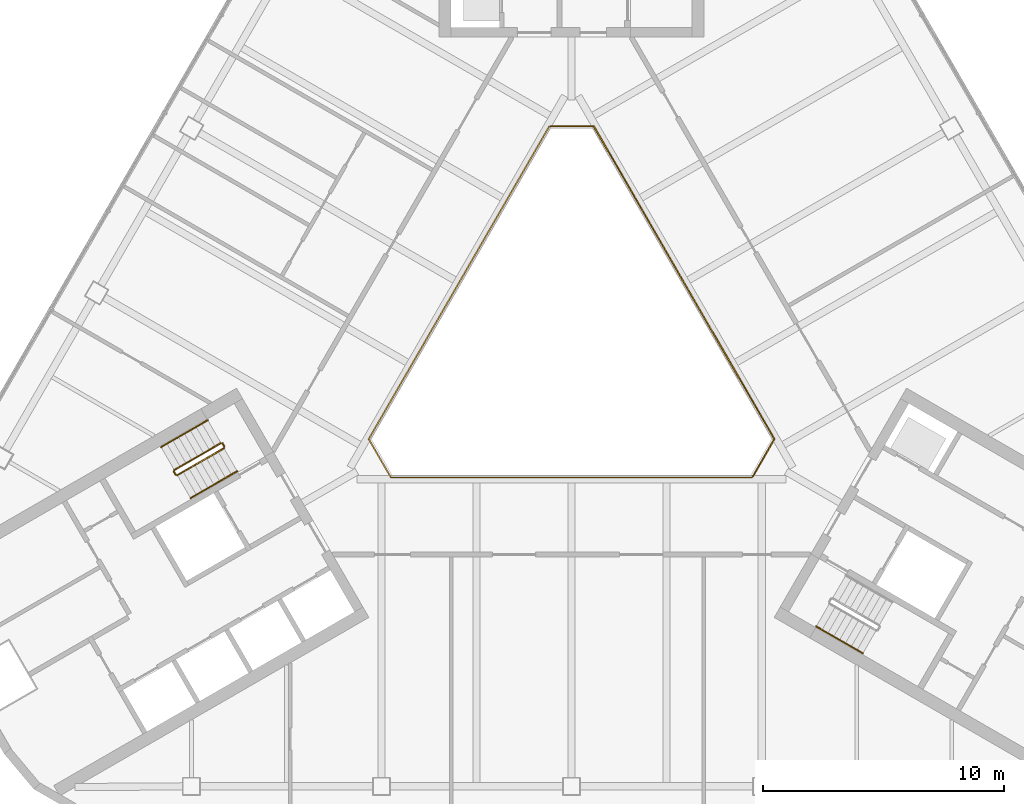
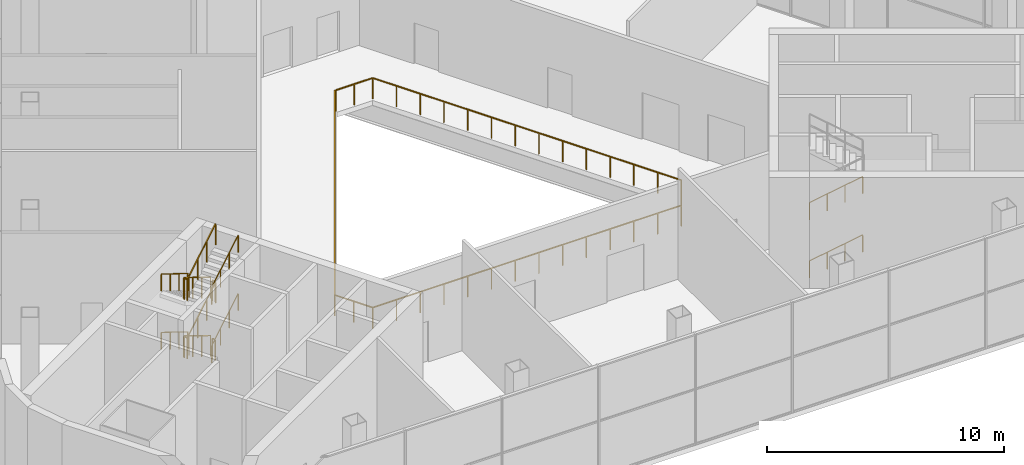
# One storey, part 12 of 14: 16 railings.
"""IFC4 building model written with IfcOpenShell, lengths in metres."""

from ifc_helpers import new_model, si_unit, direction, frame, origin, origin_2d, place, context, subcontext, project, spatial, rectangle, circle, extrude, material, type_object, element, save


model = new_model("IFC4")

# Units and contexts
model_context = context("Model", 3, precision=1e-05, world=origin(), true_north=direction((0.0, 1.0)))
body_context = subcontext(model_context, "Body", "Model", "MODEL_VIEW")
ifc_project = project(units=[si_unit("LENGTHUNIT", "METRE"), si_unit("AREAUNIT", "SQUARE_METRE"), si_unit("VOLUMEUNIT", "CUBIC_METRE"), si_unit("PLANEANGLEUNIT", "RADIAN"), si_unit("MASSUNIT", "GRAM", prefix="KILO")], contexts=[model_context])

# Site, building, storey
site_placement = place(None, origin())
site = spatial("IfcSite", under=ifc_project, at=site_placement, CompositionType="ELEMENT")
building_placement = place(site_placement, origin())
building = spatial("IfcBuilding", under=site, at=building_placement, Name="Apuvela Tower Hotel", CompositionType="ELEMENT")
storey_placement = place(building_placement, frame((0.0, 0.0, 231.699951171875)))
storey = spatial("IfcBuildingStorey", under=building, at=storey_placement, Name="L57", CompositionType="ELEMENT", Elevation=231.699951171875)

# Railings
ifc_material_1 = material(Name="Steel S275 balustrade", Category="steel")
railing_type_1 = type_object("IfcRailingType", Name="COR-GUARD-1100", PredefinedType="GUARDRAIL", material=ifc_material_1)
railing_1_placement = place(storey_placement, frame((-14.569091796875, -3.9658203125, 0.166748046875)))
element("IfcRailing", 1, at=railing_1_placement, inside=storey, type_object=railing_type_1, Name="L57 ST2 stair guard 1", PredefinedType="GUARDRAIL", context=body_context, shape_type="SweptSolid", body=[
    extrude(rectangle(XDim=0.048095703125, YDim=0.048095703125, at=origin_2d()), frame((0.0, 0.0, 1.076171875), z_axis=(-0.74416274754, -0.429638077151, 0.511500662595), x_axis=(0.49999608499, -0.866027664105, 0.0)), (0.0, 0.0, 1.0), 2.6064453125),
    extrude(rectangle(XDim=0.0419921875, YDim=0.0419921875, at=origin_2d()), origin(), (0.0, 0.0, 1.0), 1.052001953125),
    extrude(rectangle(XDim=0.0419921875, YDim=0.0419921875, at=origin_2d()), frame((-0.646484375, -0.373291015625, 0.4443359375)), (0.0, 0.0, 1.0), 1.052001953125),
    extrude(rectangle(XDim=0.0419921875, YDim=0.0419921875, at=origin_2d()), frame((-1.293212890625, -0.74658203125, 0.888916015625)), (0.0, 0.0, 1.0), 1.052001953125),
    extrude(rectangle(XDim=0.0419921875, YDim=0.0419921875, at=origin_2d()), frame((-1.939697265625, -1.119873046875, 1.333251953125)), (0.0, 0.0, 1.0), 1.052001953125),
])
railing_2_placement = place(storey_placement, frame((-16.527099609375, -5.154052734375, 1.5)))
element("IfcRailing", 2, at=railing_2_placement, inside=storey, type_object=railing_type_1, Name="L57 ST2 stair guard 2", PredefinedType="GUARDRAIL", context=body_context, shape_type="SweptSolid", body=[
    extrude(rectangle(XDim=0.048095703125, YDim=0.048095703125, at=origin_2d()), frame((0.0, 0.0, 1.076171875), z_axis=(0.499816412211, -0.866131372301, 0.0), x_axis=(0.866131372301, 0.499816412211, 0.0)), (0.0, 0.0, 1.0), 0.14990234375),
    extrude(rectangle(XDim=0.0419921875, YDim=0.0419921875, at=origin_2d()), origin(), (0.0, 0.0, 1.0), 1.052001953125),
    extrude(rectangle(XDim=0.0419921875, YDim=0.0419921875, at=origin_2d()), frame((0.074951171875, -0.1298828125, 0.0)), (0.0, 0.0, 1.0), 1.052001953125),
])
railing_3_placement = place(storey_placement, frame((-16.3837890625, -5.30224609375, 1.666748046875)))
element("IfcRailing", 3, at=railing_3_placement, inside=storey, type_object=railing_type_1, Name="L57 ST2 stair guard 3", PredefinedType="GUARDRAIL", context=body_context, shape_type="SweptSolid", body=[
    extrude(rectangle(XDim=0.048095703125, YDim=0.048095703125, at=origin_2d()), frame((0.0, 0.0, 1.076171875), z_axis=(0.74416274754, 0.429638077151, 0.511500662595), x_axis=(-0.49999608499, 0.866027664105, 0.0)), (0.0, 0.0, 1.0), 2.6064453125),
    extrude(rectangle(XDim=0.0419921875, YDim=0.0419921875, at=origin_2d()), origin(), (0.0, 0.0, 1.0), 1.052001953125),
    extrude(rectangle(XDim=0.0419921875, YDim=0.0419921875, at=origin_2d()), frame((0.646484375, 0.373291015625, 0.4443359375)), (0.0, 0.0, 1.0), 1.052001953125),
    extrude(rectangle(XDim=0.0419921875, YDim=0.0419921875, at=origin_2d()), frame((1.293212890625, 0.74658203125, 0.888916015625)), (0.0, 0.0, 1.0), 1.052001953125),
    extrude(rectangle(XDim=0.0419921875, YDim=0.0419921875, at=origin_2d()), frame((1.939697265625, 1.119873046875, 1.333251953125)), (0.0, 0.0, 1.0), 1.052001953125),
])
railing_4_placement = place(storey_placement, frame((-14.500732421875, -3.984130859375, 3.0)))
element("IfcRailing", 4, at=railing_4_placement, inside=storey, type_object=railing_type_1, Name="L57 ST2 stair guard 4", PredefinedType="GUARDRAIL", context=body_context, shape_type="SweptSolid", body=[
    extrude(rectangle(XDim=0.048095703125, YDim=0.048095703125, at=origin_2d()), frame((0.0, 0.0, 1.076171875), z_axis=(0.499816412211, -0.866131372301, 0.0), x_axis=(0.866131372301, 0.499816412211, 0.0)), (0.0, 0.0, 1.0), 0.14990234375),
    extrude(rectangle(XDim=0.0419921875, YDim=0.0419921875, at=origin_2d()), origin(), (0.0, 0.0, 1.0), 1.052001953125),
    extrude(rectangle(XDim=0.0419921875, YDim=0.0419921875, at=origin_2d()), frame((0.074951171875, -0.1298828125, 0.0)), (0.0, 0.0, 1.0), 1.052001953125),
])
railing_5_placement = place(storey_placement, frame((-14.569091796875, -3.9658203125, 3.166748046875)))
element("IfcRailing", 5, at=railing_5_placement, inside=storey, type_object=railing_type_1, Name="L57 ST2 stair guard 5", PredefinedType="GUARDRAIL", context=body_context, shape_type="SweptSolid", body=[
    extrude(rectangle(XDim=0.048095703125, YDim=0.048095703125, at=origin_2d()), frame((0.0, 0.0, 1.076171875), z_axis=(-0.74416274754, -0.429638077151, 0.511500662595), x_axis=(0.49999608499, -0.866027664105, 0.0)), (0.0, 0.0, 1.0), 2.6064453125),
    extrude(rectangle(XDim=0.0419921875, YDim=0.0419921875, at=origin_2d()), origin(), (0.0, 0.0, 1.0), 1.052001953125),
    extrude(rectangle(XDim=0.0419921875, YDim=0.0419921875, at=origin_2d()), frame((-0.646484375, -0.373291015625, 0.4443359375)), (0.0, 0.0, 1.0), 1.052001953125),
    extrude(rectangle(XDim=0.0419921875, YDim=0.0419921875, at=origin_2d()), frame((-1.293212890625, -0.74658203125, 0.888916015625)), (0.0, 0.0, 1.0), 1.052001953125),
    extrude(rectangle(XDim=0.0419921875, YDim=0.0419921875, at=origin_2d()), frame((-1.939697265625, -1.119873046875, 1.333251953125)), (0.0, 0.0, 1.0), 1.052001953125),
])
railing_6_placement = place(storey_placement, frame((-16.527099609375, -5.154052734375, 4.5)))
element("IfcRailing", 6, at=railing_6_placement, inside=storey, type_object=railing_type_1, Name="L57 ST2 stair guard 6", PredefinedType="GUARDRAIL", context=body_context, shape_type="SweptSolid", body=[
    extrude(rectangle(XDim=0.048095703125, YDim=0.048095703125, at=origin_2d()), frame((0.0, 0.0, 1.076171875), z_axis=(0.499816412211, -0.866131372301, 0.0), x_axis=(0.866131372301, 0.499816412211, 0.0)), (0.0, 0.0, 1.0), 0.14990234375),
    extrude(rectangle(XDim=0.0419921875, YDim=0.0419921875, at=origin_2d()), origin(), (0.0, 0.0, 1.0), 1.052001953125),
    extrude(rectangle(XDim=0.0419921875, YDim=0.0419921875, at=origin_2d()), frame((0.074951171875, -0.1298828125, 0.0)), (0.0, 0.0, 1.0), 1.052001953125),
])
railing_7_placement = place(storey_placement, frame((-16.3837890625, -5.30224609375, 4.666748046875)))
element("IfcRailing", 7, at=railing_7_placement, inside=storey, type_object=railing_type_1, Name="L57 ST2 stair guard 7", PredefinedType="GUARDRAIL", context=body_context, shape_type="SweptSolid", body=[
    extrude(rectangle(XDim=0.048095703125, YDim=0.048095703125, at=origin_2d()), frame((0.0, 0.0, 1.076171875), z_axis=(0.74416274754, 0.429638077151, 0.511500662595), x_axis=(-0.49999608499, 0.866027664105, 0.0)), (0.0, 0.0, 1.0), 2.6064453125),
    extrude(rectangle(XDim=0.0419921875, YDim=0.0419921875, at=origin_2d()), origin(), (0.0, 0.0, 1.0), 1.052001953125),
    extrude(rectangle(XDim=0.0419921875, YDim=0.0419921875, at=origin_2d()), frame((0.646484375, 0.373291015625, 0.4443359375)), (0.0, 0.0, 1.0), 1.052001953125),
    extrude(rectangle(XDim=0.0419921875, YDim=0.0419921875, at=origin_2d()), frame((1.293212890625, 0.74658203125, 0.888916015625)), (0.0, 0.0, 1.0), 1.052001953125),
    extrude(rectangle(XDim=0.0419921875, YDim=0.0419921875, at=origin_2d()), frame((1.939697265625, 1.119873046875, 1.333251953125)), (0.0, 0.0, 1.0), 1.052001953125),
])
railing_8_placement = place(storey_placement, frame((-14.500732421875, -3.984130859375, 0.0)))
element("IfcRailing", 8, at=railing_8_placement, inside=storey, type_object=railing_type_1, Name="L57 ST2 stair guard 8", PredefinedType="GUARDRAIL", context=body_context, shape_type="SweptSolid", body=[
    extrude(rectangle(XDim=0.048095703125, YDim=0.048095703125, at=origin_2d()), frame((0.0, 0.0, 1.076171875), z_axis=(0.499816412211, -0.866131372301, 0.0), x_axis=(0.866131372301, 0.499816412211, 0.0)), (0.0, 0.0, 1.0), 0.14990234375),
    extrude(rectangle(XDim=0.0419921875, YDim=0.0419921875, at=origin_2d()), origin(), (0.0, 0.0, 1.0), 1.052001953125),
    extrude(rectangle(XDim=0.0419921875, YDim=0.0419921875, at=origin_2d()), frame((0.074951171875, -0.1298828125, 0.0)), (0.0, 0.0, 1.0), 1.052001953125),
])
ifc_material_2 = material(Name="Stainless steel 316 handrail", Category="steel")
railing_type_2 = type_object("IfcRailingType", Name="COR-HANDRAIL-900", PredefinedType="HANDRAIL", material=ifc_material_2)
railing_9_placement = place(storey_placement, frame((-15.118896484375, -3.01318359375, 0.166748046875)))
element("IfcRailing", 9, at=railing_9_placement, inside=storey, type_object=railing_type_2, Name="L57 ST2 stair handrail 1", PredefinedType="HANDRAIL", context=body_context, shape_type="SweptSolid", body=[
    extrude(circle(Radius=0.02392578125, at=origin_2d()), frame((0.0, 0.0, 0.8759765625), z_axis=(-0.744204538217, -0.429608131991, 0.51146501173), x_axis=(0.49994888933, -0.866054910533, 0.0)), (0.0, 0.0, 1.0), 2.606689453125),
    extrude(rectangle(XDim=0.0419921875, YDim=0.0419921875, at=origin_2d()), origin(), (0.0, 0.0, 1.0), 0.851806640625),
    extrude(rectangle(XDim=0.0419921875, YDim=0.0419921875, at=origin_2d()), frame((-0.646728515625, -0.373291015625, 0.4443359375)), (0.0, 0.0, 1.0), 0.851806640625),
    extrude(rectangle(XDim=0.0419921875, YDim=0.0419921875, at=origin_2d()), frame((-1.293212890625, -0.74658203125, 0.888916015625)), (0.0, 0.0, 1.0), 0.851806640625),
    extrude(rectangle(XDim=0.0419921875, YDim=0.0419921875, at=origin_2d()), frame((-1.93994140625, -1.119873046875, 1.333251953125)), (0.0, 0.0, 1.0), 0.851806640625),
])
railing_10_placement = place(storey_placement, frame((-15.833984375, -6.2548828125, 1.666748046875)))
element("IfcRailing", 10, at=railing_10_placement, inside=storey, type_object=railing_type_2, Name="L57 ST2 stair handrail 2", PredefinedType="HANDRAIL", context=body_context, shape_type="SweptSolid", body=[
    extrude(circle(Radius=0.02392578125, at=origin_2d()), frame((0.0, 0.0, 0.8759765625), z_axis=(0.744204538217, 0.429608131991, 0.51146501173), x_axis=(-0.49994888933, 0.866054910533, 0.0)), (0.0, 0.0, 1.0), 2.606689453125),
    extrude(rectangle(XDim=0.0419921875, YDim=0.0419921875, at=origin_2d()), origin(), (0.0, 0.0, 1.0), 0.851806640625),
    extrude(rectangle(XDim=0.0419921875, YDim=0.0419921875, at=origin_2d()), frame((0.646728515625, 0.373291015625, 0.4443359375)), (0.0, 0.0, 1.0), 0.851806640625),
    extrude(rectangle(XDim=0.0419921875, YDim=0.0419921875, at=origin_2d()), frame((1.293212890625, 0.74658203125, 0.888916015625)), (0.0, 0.0, 1.0), 0.851806640625),
    extrude(rectangle(XDim=0.0419921875, YDim=0.0419921875, at=origin_2d()), frame((1.93994140625, 1.119873046875, 1.333251953125)), (0.0, 0.0, 1.0), 0.851806640625),
])
railing_11_placement = place(storey_placement, frame((-15.118896484375, -3.01318359375, 3.166748046875)))
element("IfcRailing", 11, at=railing_11_placement, inside=storey, type_object=railing_type_2, Name="L57 ST2 stair handrail 3", PredefinedType="HANDRAIL", context=body_context, shape_type="SweptSolid", body=[
    extrude(circle(Radius=0.02392578125, at=origin_2d()), frame((0.0, 0.0, 0.8759765625), z_axis=(-0.744204538217, -0.429608131991, 0.51146501173), x_axis=(0.49994888933, -0.866054910533, 0.0)), (0.0, 0.0, 1.0), 2.606689453125),
    extrude(rectangle(XDim=0.0419921875, YDim=0.0419921875, at=origin_2d()), origin(), (0.0, 0.0, 1.0), 0.851806640625),
    extrude(rectangle(XDim=0.0419921875, YDim=0.0419921875, at=origin_2d()), frame((-0.646728515625, -0.373291015625, 0.4443359375)), (0.0, 0.0, 1.0), 0.851806640625),
    extrude(rectangle(XDim=0.0419921875, YDim=0.0419921875, at=origin_2d()), frame((-1.293212890625, -0.74658203125, 0.888916015625)), (0.0, 0.0, 1.0), 0.851806640625),
    extrude(rectangle(XDim=0.0419921875, YDim=0.0419921875, at=origin_2d()), frame((-1.93994140625, -1.119873046875, 1.333251953125)), (0.0, 0.0, 1.0), 0.851806640625),
])
railing_12_placement = place(storey_placement, frame((-15.833984375, -6.2548828125, 4.666748046875)))
element("IfcRailing", 12, at=railing_12_placement, inside=storey, type_object=railing_type_2, Name="L57 ST2 stair handrail 4", PredefinedType="HANDRAIL", context=body_context, shape_type="SweptSolid", body=[
    extrude(circle(Radius=0.02392578125, at=origin_2d()), frame((0.0, 0.0, 0.8759765625), z_axis=(0.744204538217, 0.429608131991, 0.51146501173), x_axis=(-0.49994888933, 0.866054910533, 0.0)), (0.0, 0.0, 1.0), 2.606689453125),
    extrude(rectangle(XDim=0.0419921875, YDim=0.0419921875, at=origin_2d()), origin(), (0.0, 0.0, 1.0), 0.851806640625),
    extrude(rectangle(XDim=0.0419921875, YDim=0.0419921875, at=origin_2d()), frame((0.646728515625, 0.373291015625, 0.4443359375)), (0.0, 0.0, 1.0), 0.851806640625),
    extrude(rectangle(XDim=0.0419921875, YDim=0.0419921875, at=origin_2d()), frame((1.293212890625, 0.74658203125, 0.888916015625)), (0.0, 0.0, 1.0), 0.851806640625),
    extrude(rectangle(XDim=0.0419921875, YDim=0.0419921875, at=origin_2d()), frame((1.93994140625, 1.119873046875, 1.333251953125)), (0.0, 0.0, 1.0), 0.851806640625),
])
for number, where, name in (
    (13, (10.1689453125, -11.5869140625, 0.166748046875), "L57 ST3 stair handrail 1"),
    (14, (10.1689453125, -11.5869140625, 3.166748046875), "L57 ST3 stair handrail 3"),
):
    element("IfcRailing", number, at=place(storey_placement, frame(where)), inside=storey, type_object=railing_type_2, Name=name, PredefinedType="HANDRAIL", context=body_context, shape_type="SweptSolid", body=[
        extrude(circle(Radius=0.02392578125, at=origin_2d()), frame((0.0, 0.0, 0.8759765625), z_axis=(0.744204538217, -0.429608131991, 0.51146501173), x_axis=(0.49994888933, 0.866054910533, 0.0)), (0.0, 0.0, 1.0), 2.606689453125),
        extrude(rectangle(XDim=0.0419921875, YDim=0.0419921875, at=origin_2d()), origin(), (0.0, 0.0, 1.0), 0.851806640625),
        extrude(rectangle(XDim=0.0419921875, YDim=0.0419921875, at=origin_2d()), frame((0.646728515625, -0.373291015625, 0.4443359375)), (0.0, 0.0, 1.0), 0.851806640625),
        extrude(rectangle(XDim=0.0419921875, YDim=0.0419921875, at=origin_2d()), frame((1.293212890625, -0.74658203125, 0.888916015625)), (0.0, 0.0, 1.0), 0.851806640625),
        extrude(rectangle(XDim=0.0419921875, YDim=0.0419921875, at=origin_2d()), frame((1.93994140625, -1.119873046875, 1.333251953125)), (0.0, 0.0, 1.0), 0.851806640625),
    ])
ifc_material_3 = material(Name="Stainless steel 316 rail with laminated glass infill", Category="steel")
railing_type_3 = type_object("IfcRailingType", Name="ENV-GUARD-1100", PredefinedType="GUARDRAIL", material=ifc_material_3)
railing_13_placement = place(storey_placement, frame((-0.923828125, 9.199951171875, 0.0)))
element("IfcRailing", 15, at=railing_13_placement, inside=storey, type_object=railing_type_3, Name="Atrium void guard A L57", PredefinedType="GUARDRAIL", context=body_context, shape_type="SweptSolid", body=[
    extrude(rectangle(XDim=0.050048828125, YDim=0.050048828125, at=origin_2d()), frame((0.0, 0.0, 1.0751953125), z_axis=(-0.499990886379, -0.866030665472, 0.0), x_axis=(0.866030665472, -0.499990886379, 0.0)), (0.0, 0.0, 1.0), 15.010986328125),
    extrude(rectangle(XDim=0.050048828125, YDim=0.050048828125, at=origin_2d()), frame((-7.50537109375, -13.0, 1.0751953125), z_axis=(0.499962699187, -0.866046938348, 0.0), x_axis=(0.866046938348, 0.499962699187, 0.0)), (0.0, 0.0, 1.0), 1.847412109375),
    extrude(rectangle(XDim=0.050048828125, YDim=0.050048828125, at=origin_2d()), frame((-6.581787109375, -14.599853515625, 1.0751953125), z_axis=(1.0, 0.0, 0.0), x_axis=(0.0, 1.0, 0.0)), (0.0, 0.0, 1.0), 15.01123046875),
    extrude(rectangle(XDim=0.0400390625, YDim=0.0400390625, at=origin_2d()), origin(), (0.0, 0.0, 1.0), 1.050048828125),
    extrude(rectangle(XDim=0.0400390625, YDim=0.0400390625, at=origin_2d()), frame((-0.577392578125, -1.0, 0.0)), (0.0, 0.0, 1.0), 1.050048828125),
    extrude(rectangle(XDim=0.0400390625, YDim=0.0400390625, at=origin_2d()), frame((-1.15478515625, -2.0, 0.0)), (0.0, 0.0, 1.0), 1.050048828125),
    extrude(rectangle(XDim=0.0400390625, YDim=0.0400390625, at=origin_2d()), frame((-1.73193359375, -3.0, 0.0)), (0.0, 0.0, 1.0), 1.050048828125),
    extrude(rectangle(XDim=0.0400390625, YDim=0.0400390625, at=origin_2d()), frame((-2.309326171875, -4.0, 0.0)), (0.0, 0.0, 1.0), 1.050048828125),
    extrude(rectangle(XDim=0.0400390625, YDim=0.0400390625, at=origin_2d()), frame((-2.88671875, -5.0, 0.0)), (0.0, 0.0, 1.0), 1.050048828125),
    extrude(rectangle(XDim=0.0400390625, YDim=0.0400390625, at=origin_2d()), frame((-3.464111328125, -6.0, 0.0)), (0.0, 0.0, 1.0), 1.050048828125),
    extrude(rectangle(XDim=0.0400390625, YDim=0.0400390625, at=origin_2d()), frame((-4.041259765625, -7.0, 0.0)), (0.0, 0.0, 1.0), 1.050048828125),
    extrude(rectangle(XDim=0.0400390625, YDim=0.0400390625, at=origin_2d()), frame((-4.61865234375, -8.0, 0.0)), (0.0, 0.0, 1.0), 1.050048828125),
    extrude(rectangle(XDim=0.0400390625, YDim=0.0400390625, at=origin_2d()), frame((-5.196044921875, -9.0, 0.0)), (0.0, 0.0, 1.0), 1.050048828125),
    extrude(rectangle(XDim=0.0400390625, YDim=0.0400390625, at=origin_2d()), frame((-5.7734375, -10.0, 0.0)), (0.0, 0.0, 1.0), 1.050048828125),
    extrude(rectangle(XDim=0.0400390625, YDim=0.0400390625, at=origin_2d()), frame((-6.3505859375, -11.0, 0.0)), (0.0, 0.0, 1.0), 1.050048828125),
    extrude(rectangle(XDim=0.0400390625, YDim=0.0400390625, at=origin_2d()), frame((-6.927978515625, -12.0, 0.0)), (0.0, 0.0, 1.0), 1.050048828125),
    extrude(rectangle(XDim=0.0400390625, YDim=0.0400390625, at=origin_2d()), frame((-7.50537109375, -13.0, 0.0)), (0.0, 0.0, 1.0), 1.050048828125),
    extrude(rectangle(XDim=0.0400390625, YDim=0.0400390625, at=origin_2d()), frame((-7.04345703125, -13.7998046875, 0.0)), (0.0, 0.0, 1.0), 1.050048828125),
    extrude(rectangle(XDim=0.0400390625, YDim=0.0400390625, at=origin_2d()), frame((-6.581787109375, -14.599853515625, 0.0)), (0.0, 0.0, 1.0), 1.050048828125),
    extrude(rectangle(XDim=0.0400390625, YDim=0.0400390625, at=origin_2d()), frame((-5.427001953125, -14.599853515625, 0.0)), (0.0, 0.0, 1.0), 1.050048828125),
    extrude(rectangle(XDim=0.0400390625, YDim=0.0400390625, at=origin_2d()), frame((-4.2724609375, -14.599853515625, 0.0)), (0.0, 0.0, 1.0), 1.050048828125),
    extrude(rectangle(XDim=0.0400390625, YDim=0.0400390625, at=origin_2d()), frame((-3.11767578125, -14.599853515625, 0.0)), (0.0, 0.0, 1.0), 1.050048828125),
    extrude(rectangle(XDim=0.0400390625, YDim=0.0400390625, at=origin_2d()), frame((-1.962890625, -14.599853515625, 0.0)), (0.0, 0.0, 1.0), 1.050048828125),
    extrude(rectangle(XDim=0.0400390625, YDim=0.0400390625, at=origin_2d()), frame((-0.808349609375, -14.599853515625, 0.0)), (0.0, 0.0, 1.0), 1.050048828125),
    extrude(rectangle(XDim=0.0400390625, YDim=0.0400390625, at=origin_2d()), frame((0.346435546875, -14.599853515625, 0.0)), (0.0, 0.0, 1.0), 1.050048828125),
    extrude(rectangle(XDim=0.0400390625, YDim=0.0400390625, at=origin_2d()), frame((1.501220703125, -14.599853515625, 0.0)), (0.0, 0.0, 1.0), 1.050048828125),
    extrude(rectangle(XDim=0.0400390625, YDim=0.0400390625, at=origin_2d()), frame((2.656005859375, -14.599853515625, 0.0)), (0.0, 0.0, 1.0), 1.050048828125),
    extrude(rectangle(XDim=0.0400390625, YDim=0.0400390625, at=origin_2d()), frame((3.810546875, -14.599853515625, 0.0)), (0.0, 0.0, 1.0), 1.050048828125),
    extrude(rectangle(XDim=0.0400390625, YDim=0.0400390625, at=origin_2d()), frame((4.96533203125, -14.599853515625, 0.0)), (0.0, 0.0, 1.0), 1.050048828125),
    extrude(rectangle(XDim=0.0400390625, YDim=0.0400390625, at=origin_2d()), frame((6.1201171875, -14.599853515625, 0.0)), (0.0, 0.0, 1.0), 1.050048828125),
    extrude(rectangle(XDim=0.0400390625, YDim=0.0400390625, at=origin_2d()), frame((7.274658203125, -14.599853515625, 0.0)), (0.0, 0.0, 1.0), 1.050048828125),
    extrude(rectangle(XDim=0.0400390625, YDim=0.0400390625, at=origin_2d()), frame((8.429443359375, -14.599853515625, 0.0)), (0.0, 0.0, 1.0), 1.050048828125),
])
railing_14_placement = place(storey_placement, frame((7.53564453125, -5.347900390625, 0.0)))
element("IfcRailing", 16, at=railing_14_placement, inside=storey, type_object=railing_type_3, Name="Atrium void guard B L57", PredefinedType="GUARDRAIL", context=body_context, shape_type="SweptSolid", body=[
    extrude(rectangle(XDim=0.050048828125, YDim=0.050048828125, at=origin_2d()), frame((0.0, 0.0, 1.0751953125), z_axis=(0.499958946799, 0.866049104564, 0.0), x_axis=(-0.866049104564, 0.499958946799, 0.0)), (0.0, 0.0, 1.0), 1.787353515625),
    extrude(rectangle(XDim=0.050048828125, YDim=0.050048828125, at=origin_2d()), frame((0.8935546875, 1.5478515625, 1.0751953125), z_axis=(-0.499990886379, 0.866030665472, 0.0), x_axis=(-0.866030665472, -0.499990886379, 0.0)), (0.0, 0.0, 1.0), 15.010986328125),
    extrude(rectangle(XDim=0.050048828125, YDim=0.050048828125, at=origin_2d()), frame((-6.61181640625, 14.5478515625, 1.0751953125), z_axis=(-1.0, 0.0, 0.0), x_axis=(0.0, -1.0, 0.0)), (0.0, 0.0, 1.0), 1.78759765625),
    extrude(rectangle(XDim=0.0400390625, YDim=0.0400390625, at=origin_2d()), origin(), (0.0, 0.0, 1.0), 1.050048828125),
    extrude(rectangle(XDim=0.0400390625, YDim=0.0400390625, at=origin_2d()), frame((0.44677734375, 0.77392578125, 0.0)), (0.0, 0.0, 1.0), 1.050048828125),
    extrude(rectangle(XDim=0.0400390625, YDim=0.0400390625, at=origin_2d()), frame((0.8935546875, 1.5478515625, 0.0)), (0.0, 0.0, 1.0), 1.050048828125),
    extrude(rectangle(XDim=0.0400390625, YDim=0.0400390625, at=origin_2d()), frame((0.316162109375, 2.5478515625, 0.0)), (0.0, 0.0, 1.0), 1.050048828125),
    extrude(rectangle(XDim=0.0400390625, YDim=0.0400390625, at=origin_2d()), frame((-0.26123046875, 3.5478515625, 0.0)), (0.0, 0.0, 1.0), 1.050048828125),
    extrude(rectangle(XDim=0.0400390625, YDim=0.0400390625, at=origin_2d()), frame((-0.83837890625, 4.5478515625, 0.0)), (0.0, 0.0, 1.0), 1.050048828125),
    extrude(rectangle(XDim=0.0400390625, YDim=0.0400390625, at=origin_2d()), frame((-1.415771484375, 5.5478515625, 0.0)), (0.0, 0.0, 1.0), 1.050048828125),
    extrude(rectangle(XDim=0.0400390625, YDim=0.0400390625, at=origin_2d()), frame((-1.9931640625, 6.5478515625, 0.0)), (0.0, 0.0, 1.0), 1.050048828125),
    extrude(rectangle(XDim=0.0400390625, YDim=0.0400390625, at=origin_2d()), frame((-2.570556640625, 7.5478515625, 0.0)), (0.0, 0.0, 1.0), 1.050048828125),
    extrude(rectangle(XDim=0.0400390625, YDim=0.0400390625, at=origin_2d()), frame((-3.147705078125, 8.5478515625, 0.0)), (0.0, 0.0, 1.0), 1.050048828125),
    extrude(rectangle(XDim=0.0400390625, YDim=0.0400390625, at=origin_2d()), frame((-3.72509765625, 9.5478515625, 0.0)), (0.0, 0.0, 1.0), 1.050048828125),
    extrude(rectangle(XDim=0.0400390625, YDim=0.0400390625, at=origin_2d()), frame((-4.302490234375, 10.5478515625, 0.0)), (0.0, 0.0, 1.0), 1.050048828125),
    extrude(rectangle(XDim=0.0400390625, YDim=0.0400390625, at=origin_2d()), frame((-4.8798828125, 11.5478515625, 0.0)), (0.0, 0.0, 1.0), 1.050048828125),
    extrude(rectangle(XDim=0.0400390625, YDim=0.0400390625, at=origin_2d()), frame((-5.45703125, 12.5478515625, 0.0)), (0.0, 0.0, 1.0), 1.050048828125),
    extrude(rectangle(XDim=0.0400390625, YDim=0.0400390625, at=origin_2d()), frame((-6.034423828125, 13.5478515625, 0.0)), (0.0, 0.0, 1.0), 1.050048828125),
    extrude(rectangle(XDim=0.0400390625, YDim=0.0400390625, at=origin_2d()), frame((-6.61181640625, 14.5478515625, 0.0)), (0.0, 0.0, 1.0), 1.050048828125),
    extrude(rectangle(XDim=0.0400390625, YDim=0.0400390625, at=origin_2d()), frame((-7.505615234375, 14.5478515625, 0.0)), (0.0, 0.0, 1.0), 1.050048828125),
    extrude(rectangle(XDim=0.0400390625, YDim=0.0400390625, at=origin_2d()), frame((-8.3994140625, 14.5478515625, 0.0)), (0.0, 0.0, 1.0), 1.050048828125),
])

save(model, "model.ifc")
